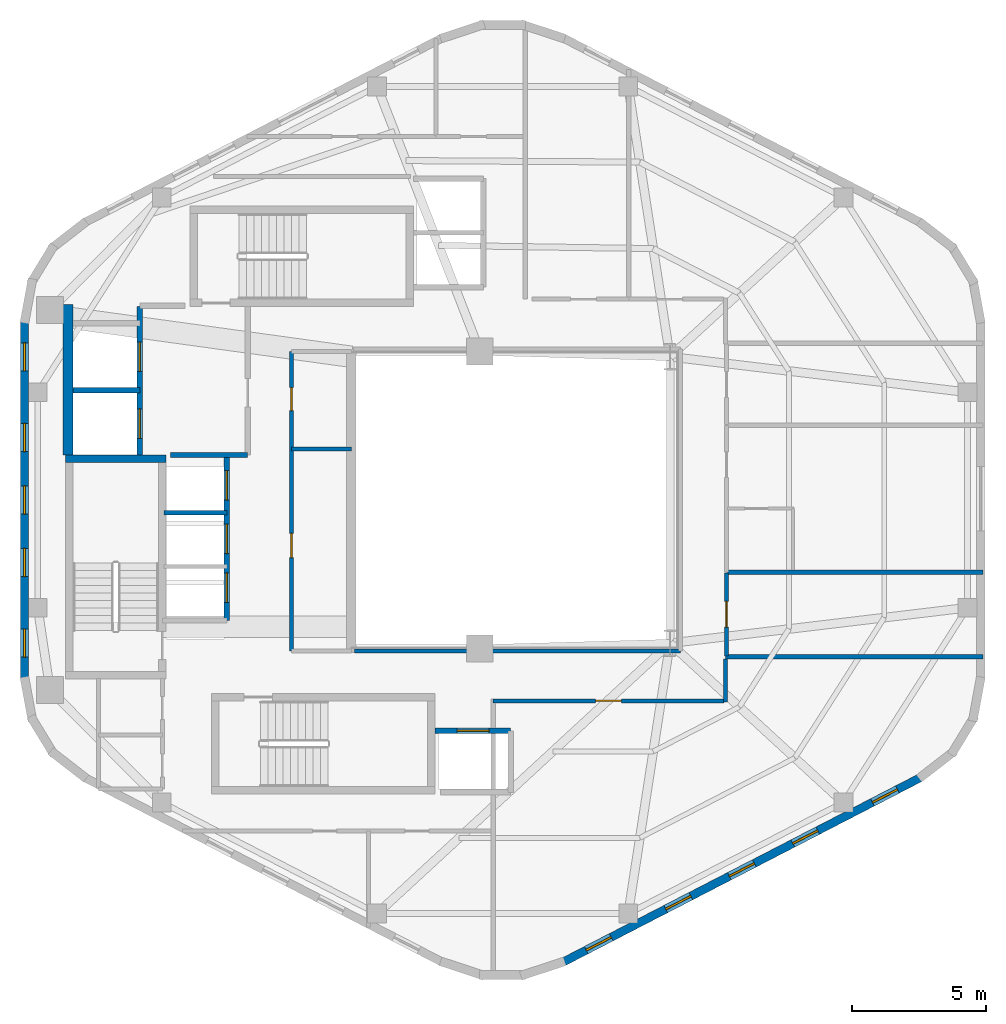
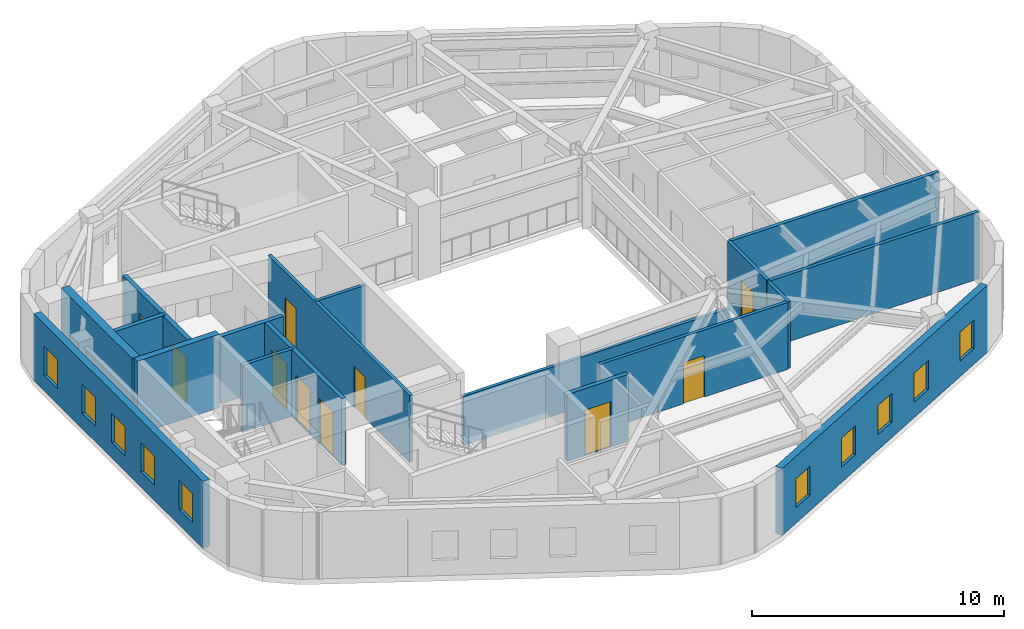
# One storey, part 3 of 6: 18 walls, 10 doors, 10 windows, 20 openings.
"""IFC4 building model written with IfcOpenShell, lengths in metres."""

from ifc_helpers import new_model, si_unit, direction, frame, frame_2d, origin, place, context, subcontext, project, spatial, rectangle, extrude, material, layer, layer_set, type_object, element, fill, save


model = new_model("IFC4")

# Units and contexts
model_context = context("Model", 3, precision=1e-05, world=origin(), true_north=direction((0.0, 1.0)))
body_context = subcontext(model_context, "Body", "Model", "MODEL_VIEW")
ifc_project = project(units=[si_unit("LENGTHUNIT", "METRE"), si_unit("AREAUNIT", "SQUARE_METRE"), si_unit("VOLUMEUNIT", "CUBIC_METRE"), si_unit("PLANEANGLEUNIT", "RADIAN"), si_unit("MASSUNIT", "GRAM", prefix="KILO"), si_unit("THERMODYNAMICTEMPERATUREUNIT", "KELVIN"), si_unit("POWERUNIT", "WATT")], contexts=[model_context])

# Site, building, storey
site_placement = place(None, origin())
site = spatial("IfcSite", under=ifc_project, at=site_placement, CompositionType="ELEMENT")
building_placement = place(site_placement, origin())
building = spatial("IfcBuilding", under=site, at=building_placement, Name="Skarre Station Tower", CompositionType="ELEMENT")
storey_placement = place(building_placement, frame((0.0, 0.0, 266.75)))
storey = spatial("IfcBuildingStorey", under=building, at=storey_placement, Name="L73", CompositionType="ELEMENT", Elevation=266.75)

# Wall
ifc_material_1 = material(Name="Acoustic Steel-Stud Gypsum Partition", Category="steel")
ifc_layer_1 = layer(ifc_material_1, 0.14990234375, Name="Acoustic Steel-Stud Gypsum Partition")
ifc_layer_set_1 = layer_set([ifc_layer_1], Name="Acoustic Steel-Stud Gypsum Partition")
wall_type_1 = type_object("IfcWallType", Name="Fire-Rated Corridor Acoustic Partition 150", PredefinedType="PARTITIONING", material=ifc_layer_set_1)
wall_1_placement = place(storey_placement, frame((25.320068359375, 25.89990234375, 0.0), z_axis=(0.0, 0.0, 1.0), x_axis=(1.0, 0.0, 0.0)))
element("IfcWall", 1, at=wall_1_placement, inside=storey, type_object=wall_type_1, Name="L73 Interior Partition WL-PT-L73-RC2-M", PredefinedType="PARTITIONING", context=body_context, shape_type="SweptSolid", body=[
    extrude(rectangle(XDim=2.22998046875, YDim=0.14990234375, at=frame_2d((1.114990234375, 0.0))), origin(), (0.0, 0.0, 1.0), 3.239990234375),
])

# Wall, openings, doors
wall_2_placement = place(storey_placement, frame((25.320068359375, 29.550048828125, 0.0), z_axis=(0.0, 0.0, 1.0), x_axis=(0.0, -1.0, 0.0)))
wall_2 = element("IfcWall", 2, at=wall_2_placement, inside=storey, type_object=wall_type_1, Name="L73 Interior Partition WL-PT-L73-RC2-W", PredefinedType="PARTITIONING", context=body_context, shape_type="SweptSolid", body=[
    extrude(rectangle(XDim=11.18994140625, YDim=0.14990234375, at=frame_2d((5.594970703125, 0.0))), origin(), (0.0, 0.0, 1.0), 3.239990234375),
])
opening_1_placement = place(wall_2_placement, frame((1.35009765625, 0.0, 0.0)))
opening_1 = element("IfcOpeningElement", 3, at=opening_1_placement, cuts=wall_2, Name="Opening DR-SVC86", PredefinedType="OPENING", context=body_context, shape_type="SweptSolid", body=[
    extrude(rectangle(XDim=0.860107421875, YDim=2.0, at=frame_2d((0.43017578125, 1.0))), frame((0.0, 0.0849609375, 0.0), z_axis=(0.0, -1.0, 0.0), x_axis=(1.0, 0.0, 0.0)), (0.0, 0.0, 1.0), 0.169921875),
])
opening_2_placement = place(wall_2_placement, frame((6.800048828125, 0.0, 0.0)))
opening_2 = element("IfcOpeningElement", 4, at=opening_2_placement, cuts=wall_2, Name="Opening DR-SVC90", PredefinedType="OPENING", context=body_context, shape_type="SweptSolid", body=[
    extrude(rectangle(XDim=0.89990234375, YDim=2.0, at=frame_2d((0.449951171875, 1.0))), frame((0.0, 0.0849609375, 0.0), z_axis=(0.0, -1.0, 0.0), x_axis=(1.0, 0.0, 0.0)), (0.0, 0.0, 1.0), 0.169921875),
])
ifc_material_2 = material(Name="Powder-Coated Hollow-Metal Acoustic Fire Leaf", Category="steel")
door_type_1 = type_object("IfcDoorType", Name="Compact Riser Fire Door FD60 860x2100", OperationType="SINGLE_SWING_LEFT", PredefinedType="DOOR", material=ifc_material_2)
door_1_placement = place(opening_1_placement, origin())
door_1 = element("IfcDoor", 5, at=door_1_placement, inside=storey, type_object=door_type_1, Name="L73 Music Alcove Door", OperationType="SINGLE_SWING_LEFT", OverallHeight=2.0, OverallWidth=0.860107421875, PredefinedType="DOOR", context=body_context, shape_type="SweptSolid", body=[
    extrude(rectangle(XDim=0.860107421875, YDim=2.0, at=frame_2d((0.43017578125, 1.0))), frame((0.0, 0.02490234375, 0.0), z_axis=(0.0, -1.0, 0.0), x_axis=(1.0, 0.0, 0.0)), (0.0, 0.0, 1.0), 0.050048828125),
])
fill(opening_1, door_1)
door_type_2 = type_object("IfcDoorType", Name="Service & Riser Fire Door FD60 900x2100", OperationType="SINGLE_SWING_LEFT", PredefinedType="DOOR", material=ifc_material_2)
door_2_placement = place(opening_2_placement, origin())
door_2 = element("IfcDoor", 6, at=door_2_placement, inside=storey, type_object=door_type_2, Name="L73 Tasting Pantry Door", OperationType="SINGLE_SWING_LEFT", OverallHeight=2.0, OverallWidth=0.89990234375, PredefinedType="DOOR", context=body_context, shape_type="SweptSolid", body=[
    extrude(rectangle(XDim=0.89990234375, YDim=2.0, at=frame_2d((0.449951171875, 1.0))), frame((0.0, 0.02490234375, 0.0), z_axis=(0.0, -1.0, 0.0), x_axis=(1.0, 0.0, 0.0)), (0.0, 0.0, 1.0), 0.050048828125),
])
fill(opening_2, door_2)

# Wall
wall_3_placement = place(storey_placement, frame((27.675048828125, 18.360107421875, 0.0), z_axis=(0.0, 0.0, 1.0), x_axis=(1.0, 0.0, 0.0)))
element("IfcWall", 7, at=wall_3_placement, inside=storey, type_object=wall_type_1, Name="L73 Interior Partition WL-PT-L73-ATRW-S", PredefinedType="PARTITIONING", context=body_context, shape_type="SweptSolid", body=[
    extrude(rectangle(XDim=12.1650390625, YDim=0.14990234375, at=frame_2d((6.08251953125, 0.0))), origin(), (0.0, 0.0, 1.0), 2.381103515625),
])

# Wall, opening, door
wall_4_placement = place(storey_placement, frame((41.56005859375, 18.179931640625, 0.0), z_axis=(0.0, 0.0, 1.0), x_axis=(0.0, 1.0, 0.0)))
wall_4 = element("IfcWall", 8, at=wall_4_placement, inside=storey, type_object=wall_type_1, Name="L73 Interior Partition WL-PT-L73-EW1-CW", PredefinedType="PARTITIONING", context=body_context, shape_type="SweptSolid", body=[
    extrude(rectangle(XDim=3.10205078125, YDim=0.14990234375, at=frame_2d((1.551025390625, 0.0))), origin(), (0.0, 0.0, 1.0), 3.239990234375),
])
opening_3_placement = place(wall_4_placement, frame((1.071044921875, 0.0, 0.0)))
opening_3 = element("IfcOpeningElement", 9, at=opening_3_placement, cuts=wall_4, Name="Opening DR-FD60", PredefinedType="OPENING", context=body_context, shape_type="SweptSolid", body=[
    extrude(rectangle(XDim=0.9599609375, YDim=2.0, at=frame_2d((0.47998046875, 1.0))), frame((0.0, 0.0849609375, 0.0), z_axis=(0.0, -1.0, 0.0), x_axis=(1.0, 0.0, 0.0)), (0.0, 0.0, 1.0), 0.169921875),
])
ifc_material_3 = material(Name="Nordic White-Oak Veneer Solid-Core Fire Leaf", Category="wood")
door_type_3 = type_object("IfcDoorType", Name="Corridor Suite Entry Fire Door FD60 960x2150", OperationType="SINGLE_SWING_LEFT", PredefinedType="DOOR", material=ifc_material_3)
door_3_placement = place(opening_3_placement, origin())
door_3 = element("IfcDoor", 10, at=door_3_placement, inside=storey, type_object=door_type_3, Name="L73 EW1 Entry Door", OperationType="SINGLE_SWING_LEFT", OverallHeight=2.0, OverallWidth=0.9599609375, PredefinedType="DOOR", context=body_context, shape_type="SweptSolid", body=[
    extrude(rectangle(XDim=0.9599609375, YDim=2.0, at=frame_2d((0.47998046875, 1.0))), frame((0.0, 0.02490234375, 0.0), z_axis=(0.0, -1.0, 0.0), x_axis=(1.0, 0.0, 0.0)), (0.0, 0.0, 1.0), 0.050048828125),
])
fill(opening_3, door_3)

# Wall
wall_5_placement = place(storey_placement, frame((41.52001953125, 16.4599609375, 0.0), z_axis=(0.0, 0.0, 1.0), x_axis=(0.0, 1.0, 0.0)))
element("IfcWall", 11, at=wall_5_placement, inside=storey, type_object=wall_type_1, Name="L73 Interior Partition WL-PT-L73-CORR-SER", PredefinedType="PARTITIONING", context=body_context, shape_type="SweptSolid", body=[
    extrude(rectangle(XDim=1.60205078125, YDim=0.14990234375, at=frame_2d((0.801025390625, 0.0))), origin(), (0.0, 0.0, 1.0), 3.239990234375),
])

# Wall, opening, door
wall_6_placement = place(storey_placement, frame((32.85009765625, 16.5, 0.0), z_axis=(0.0, 0.0, 1.0), x_axis=(1.0, 0.0, 0.0)))
wall_6 = element("IfcWall", 12, at=wall_6_placement, inside=storey, type_object=wall_type_1, Name="L73 Interior Partition WL-PT-L73-SW1-CW", PredefinedType="PARTITIONING", context=body_context, shape_type="SweptSolid", body=[
    extrude(rectangle(XDim=8.60986328125, YDim=0.14990234375, at=frame_2d((4.304931640625, 0.0))), origin(), (0.0, 0.0, 1.0), 3.239990234375),
])
opening_4_placement = place(wall_6_placement, frame((3.824951171875, 0.0, 0.0)))
opening_4 = element("IfcOpeningElement", 13, at=opening_4_placement, cuts=wall_6, Name="Opening DR-FD60", PredefinedType="OPENING", context=body_context, shape_type="SweptSolid", body=[
    extrude(rectangle(XDim=0.9599609375, YDim=2.0, at=frame_2d((0.47998046875, 1.0))), frame((0.0, 0.0849609375, 0.0), z_axis=(0.0, -1.0, 0.0), x_axis=(1.0, 0.0, 0.0)), (0.0, 0.0, 1.0), 0.169921875),
])
door_4_placement = place(opening_4_placement, origin())
door_4 = element("IfcDoor", 14, at=door_4_placement, inside=storey, type_object=door_type_3, Name="L73 SW1 Entry Door", OperationType="SINGLE_SWING_LEFT", OverallHeight=2.0, OverallWidth=0.9599609375, PredefinedType="DOOR", context=body_context, shape_type="SweptSolid", body=[
    extrude(rectangle(XDim=0.9599609375, YDim=2.0, at=frame_2d((0.47998046875, 1.0))), frame((0.0, 0.02490234375, 0.0), z_axis=(0.0, -1.0, 0.0), x_axis=(1.0, 0.0, 0.0)), (0.0, 0.0, 1.0), 0.050048828125),
])
fill(opening_4, door_4)

# Wall, openings, windows
ifc_material_4 = material(Name="Precast concrete C45/55", Category="concrete")
ifc_layer_2 = layer(ifc_material_4, 0.31005859375, Name="Precast concrete C45/55")
ifc_layer_set_2 = layer_set([ifc_layer_2], Name="Precast concrete C45/55")
wall_type_2 = type_object("IfcWallType", Name="Nordic Upper-Zone Precast Facet Wall 310", PredefinedType="STANDARD", material=ifc_layer_set_2)
wall_7_placement = place(storey_placement, frame((15.342041015625, 17.298095703125, 0.0), z_axis=(0.0, 0.0, 1.0), x_axis=(0.0, 1.0, 0.0)))
wall_7 = element("IfcWall", 15, at=wall_7_placement, inside=storey, type_object=wall_type_2, Name="L73 Facet 2 Nordic Precast Masonry Wall", PredefinedType="STANDARD", context=body_context, shape_type="SweptSolid", body=[
    extrude(rectangle(XDim=13.40380859375, YDim=0.31005859375, at=frame_2d((6.701904296875, 0.0))), origin(), (0.0, 0.0, 1.0), 3.239990234375),
])
opening_5_placement = place(wall_7_placement, frame((0.8310546875, 0.0, 0.75)))
opening_5 = element("IfcOpeningElement", 16, at=opening_5_placement, cuts=wall_7, Name="Opening WN-SLT", PredefinedType="OPENING", context=body_context, shape_type="SweptSolid", body=[
    extrude(rectangle(XDim=1.050048828125, YDim=1.39990234375, at=frame_2d((0.52490234375, 0.699951171875))), frame((0.0, 0.1650390625, 0.0), z_axis=(0.0, -1.0, 0.0), x_axis=(1.0, 0.0, 0.0)), (0.0, 0.0, 1.0), 0.330078125),
])
opening_6_placement = place(wall_7_placement, frame((3.843017578125, 0.0, 0.75)))
opening_6 = element("IfcOpeningElement", 17, at=opening_6_placement, cuts=wall_7, Name="Opening WN-SLT", PredefinedType="OPENING", context=body_context, shape_type="SweptSolid", body=[
    extrude(rectangle(XDim=1.050048828125, YDim=1.39990234375, at=frame_2d((0.52490234375, 0.699951171875))), frame((0.0, 0.1650390625, 0.0), z_axis=(0.0, -1.0, 0.0), x_axis=(1.0, 0.0, 0.0)), (0.0, 0.0, 1.0), 0.330078125),
])
opening_7_placement = place(wall_7_placement, frame((6.177001953125, 0.0, 0.75)))
opening_7 = element("IfcOpeningElement", 18, at=opening_7_placement, cuts=wall_7, Name="Opening WN-SLT", PredefinedType="OPENING", context=body_context, shape_type="SweptSolid", body=[
    extrude(rectangle(XDim=1.050048828125, YDim=1.39990234375, at=frame_2d((0.52490234375, 0.699951171875))), frame((0.0, 0.1650390625, 0.0), z_axis=(0.0, -1.0, 0.0), x_axis=(1.0, 0.0, 0.0)), (0.0, 0.0, 1.0), 0.330078125),
])
opening_8_placement = place(wall_7_placement, frame((8.510986328125, 0.0, 0.75)))
opening_8 = element("IfcOpeningElement", 19, at=opening_8_placement, cuts=wall_7, Name="Opening WN-SLT", PredefinedType="OPENING", context=body_context, shape_type="SweptSolid", body=[
    extrude(rectangle(XDim=1.050048828125, YDim=1.39990234375, at=frame_2d((0.52490234375, 0.699951171875))), frame((0.0, 0.1650390625, 0.0), z_axis=(0.0, -1.0, 0.0), x_axis=(1.0, 0.0, 0.0)), (0.0, 0.0, 1.0), 0.330078125),
])
opening_9_placement = place(wall_7_placement, frame((11.52392578125, 0.0, 0.75)))
opening_9 = element("IfcOpeningElement", 20, at=opening_9_placement, cuts=wall_7, Name="Opening WN-SLT", PredefinedType="OPENING", context=body_context, shape_type="SweptSolid", body=[
    extrude(rectangle(XDim=1.050048828125, YDim=1.39990234375, at=frame_2d((0.52490234375, 0.699951171875))), frame((0.0, 0.1650390625, 0.0), z_axis=(0.0, -1.0, 0.0), x_axis=(1.0, 0.0, 0.0)), (0.0, 0.0, 1.0), 0.330078125),
])
ifc_material_5 = material(Name="Low-Iron Triple Glazing with Bronze Anodized Frame", Category="glass")
window_type = type_object("IfcWindowType", Name="Nordic Corner Slot Window 1050x1400", PartitioningType="SINGLE_PANEL", PredefinedType="WINDOW", material=ifc_material_5)
window_1_placement = place(opening_5_placement, origin())
window_1 = element("IfcWindow", 21, at=window_1_placement, inside=storey, type_object=window_type, Name="L73 Facade Window WL-FAC-L73-F2-1", OverallHeight=1.39990234375, OverallWidth=1.050048828125, PartitioningType="SINGLE_PANEL", PredefinedType="WINDOW", context=body_context, shape_type="SweptSolid", body=[
    extrude(rectangle(XDim=1.050048828125, YDim=1.39990234375, at=frame_2d((0.52490234375, 0.699951171875))), frame((0.0, 0.030029296875, 0.0), z_axis=(0.0, -1.0, 0.0), x_axis=(1.0, 0.0, 0.0)), (0.0, 0.0, 1.0), 0.06005859375),
])
fill(opening_5, window_1)
window_2_placement = place(opening_6_placement, origin())
window_2 = element("IfcWindow", 22, at=window_2_placement, inside=storey, type_object=window_type, Name="L73 Facade Window WL-FAC-L73-F2-2", OverallHeight=1.39990234375, OverallWidth=1.050048828125, PartitioningType="SINGLE_PANEL", PredefinedType="WINDOW", context=body_context, shape_type="SweptSolid", body=[
    extrude(rectangle(XDim=1.050048828125, YDim=1.39990234375, at=frame_2d((0.52490234375, 0.699951171875))), frame((0.0, 0.030029296875, 0.0), z_axis=(0.0, -1.0, 0.0), x_axis=(1.0, 0.0, 0.0)), (0.0, 0.0, 1.0), 0.06005859375),
])
fill(opening_6, window_2)
window_3_placement = place(opening_7_placement, origin())
window_3 = element("IfcWindow", 23, at=window_3_placement, inside=storey, type_object=window_type, Name="L73 Facade Window WL-FAC-L73-F2-3", OverallHeight=1.39990234375, OverallWidth=1.050048828125, PartitioningType="SINGLE_PANEL", PredefinedType="WINDOW", context=body_context, shape_type="SweptSolid", body=[
    extrude(rectangle(XDim=1.050048828125, YDim=1.39990234375, at=frame_2d((0.52490234375, 0.699951171875))), frame((0.0, 0.030029296875, 0.0), z_axis=(0.0, -1.0, 0.0), x_axis=(1.0, 0.0, 0.0)), (0.0, 0.0, 1.0), 0.06005859375),
])
fill(opening_7, window_3)
window_4_placement = place(opening_8_placement, origin())
window_4 = element("IfcWindow", 24, at=window_4_placement, inside=storey, type_object=window_type, Name="L73 Facade Window WL-FAC-L73-F2-4", OverallHeight=1.39990234375, OverallWidth=1.050048828125, PartitioningType="SINGLE_PANEL", PredefinedType="WINDOW", context=body_context, shape_type="SweptSolid", body=[
    extrude(rectangle(XDim=1.050048828125, YDim=1.39990234375, at=frame_2d((0.52490234375, 0.699951171875))), frame((0.0, 0.030029296875, 0.0), z_axis=(0.0, -1.0, 0.0), x_axis=(1.0, 0.0, 0.0)), (0.0, 0.0, 1.0), 0.06005859375),
])
fill(opening_8, window_4)
window_5_placement = place(opening_9_placement, origin())
window_5 = element("IfcWindow", 25, at=window_5_placement, inside=storey, type_object=window_type, Name="L73 Facade Window WL-FAC-L73-F2-5", OverallHeight=1.39990234375, OverallWidth=1.050048828125, PartitioningType="SINGLE_PANEL", PredefinedType="WINDOW", context=body_context, shape_type="SweptSolid", body=[
    extrude(rectangle(XDim=1.050048828125, YDim=1.39990234375, at=frame_2d((0.52490234375, 0.699951171875))), frame((0.0, 0.030029296875, 0.0), z_axis=(0.0, -1.0, 0.0), x_axis=(1.0, 0.0, 0.0)), (0.0, 0.0, 1.0), 0.06005859375),
])
fill(opening_9, window_5)

wall_8_placement = place(storey_placement, frame((48.833984375, 13.64599609375, 0.0), z_axis=(0.0, 0.0, 1.0), x_axis=(-0.888581481622, -0.458718814218, 0.0)))
wall_8 = element("IfcWall", 26, at=wall_8_placement, inside=storey, type_object=wall_type_2, Name="L73 Facet 4 Nordic Precast Masonry Wall", PredefinedType="STANDARD", context=body_context, shape_type="SweptSolid", body=[
    extrude(rectangle(XDim=15.076904296875, YDim=0.31005859375, at=frame_2d((7.53857421875, 0.0))), origin(), (0.0, 0.0, 1.0), 3.239990234375),
])
opening_10_placement = place(wall_8_placement, frame((0.998046875, 0.0, 0.75)))
opening_10 = element("IfcOpeningElement", 27, at=opening_10_placement, cuts=wall_8, Name="Opening WN-SLT", PredefinedType="OPENING", context=body_context, shape_type="SweptSolid", body=[
    extrude(rectangle(XDim=1.050048828125, YDim=1.39990234375, at=frame_2d((0.52490234375, 0.699951171875))), frame((0.0, 0.1650390625, 0.0), z_axis=(0.0, -1.0, 0.0), x_axis=(1.0, 0.0, 0.0)), (0.0, 0.0, 1.0), 0.330078125),
])
opening_11_placement = place(wall_8_placement, frame((4.344970703125, 0.0, 0.75)))
opening_11 = element("IfcOpeningElement", 28, at=opening_11_placement, cuts=wall_8, Name="Opening WN-SLT", PredefinedType="OPENING", context=body_context, shape_type="SweptSolid", body=[
    extrude(rectangle(XDim=1.050048828125, YDim=1.39990234375, at=frame_2d((0.52490234375, 0.699951171875))), frame((0.0, 0.1650390625, 0.0), z_axis=(0.0, -1.0, 0.0), x_axis=(1.0, 0.0, 0.0)), (0.0, 0.0, 1.0), 0.330078125),
])
opening_12_placement = place(wall_8_placement, frame((7.013916015625, 0.0, 0.75)))
opening_12 = element("IfcOpeningElement", 29, at=opening_12_placement, cuts=wall_8, Name="Opening WN-SLT", PredefinedType="OPENING", context=body_context, shape_type="SweptSolid", body=[
    extrude(rectangle(XDim=1.050048828125, YDim=1.39990234375, at=frame_2d((0.52490234375, 0.699951171875))), frame((0.0, 0.1650390625, 0.0), z_axis=(0.0, -1.0, 0.0), x_axis=(1.0, 0.0, 0.0)), (0.0, 0.0, 1.0), 0.330078125),
])
opening_13_placement = place(wall_8_placement, frame((9.68310546875, 0.0, 0.75)))
opening_13 = element("IfcOpeningElement", 30, at=opening_13_placement, cuts=wall_8, Name="Opening WN-SLT", PredefinedType="OPENING", context=body_context, shape_type="SweptSolid", body=[
    extrude(rectangle(XDim=1.050048828125, YDim=1.39990234375, at=frame_2d((0.52490234375, 0.699951171875))), frame((0.0, 0.1650390625, 0.0), z_axis=(0.0, -1.0, 0.0), x_axis=(1.0, 0.0, 0.0)), (0.0, 0.0, 1.0), 0.330078125),
])
opening_14_placement = place(wall_8_placement, frame((13.029052734375, 0.0, 0.75)))
opening_14 = element("IfcOpeningElement", 31, at=opening_14_placement, cuts=wall_8, Name="Opening WN-SLT", PredefinedType="OPENING", context=body_context, shape_type="SweptSolid", body=[
    extrude(rectangle(XDim=1.050048828125, YDim=1.39990234375, at=frame_2d((0.52490234375, 0.699951171875))), frame((0.0, 0.1650390625, 0.0), z_axis=(0.0, -1.0, 0.0), x_axis=(1.0, 0.0, 0.0)), (0.0, 0.0, 1.0), 0.330078125),
])
window_6_placement = place(opening_10_placement, origin())
window_6 = element("IfcWindow", 32, at=window_6_placement, inside=storey, type_object=window_type, Name="L73 Facade Window WL-FAC-L73-F4-1", OverallHeight=1.39990234375, OverallWidth=1.050048828125, PartitioningType="SINGLE_PANEL", PredefinedType="WINDOW", context=body_context, shape_type="SweptSolid", body=[
    extrude(rectangle(XDim=1.050048828125, YDim=1.39990234375, at=frame_2d((0.52490234375, 0.699951171875))), frame((0.0, 0.030029296875, 0.0), z_axis=(0.0, -1.0, 0.0), x_axis=(1.0, 0.0, 0.0)), (0.0, 0.0, 1.0), 0.06005859375),
])
fill(opening_10, window_6)
window_7_placement = place(opening_11_placement, origin())
window_7 = element("IfcWindow", 33, at=window_7_placement, inside=storey, type_object=window_type, Name="L73 Facade Window WL-FAC-L73-F4-2", OverallHeight=1.39990234375, OverallWidth=1.050048828125, PartitioningType="SINGLE_PANEL", PredefinedType="WINDOW", context=body_context, shape_type="SweptSolid", body=[
    extrude(rectangle(XDim=1.050048828125, YDim=1.39990234375, at=frame_2d((0.52490234375, 0.699951171875))), frame((0.0, 0.030029296875, 0.0), z_axis=(0.0, -1.0, 0.0), x_axis=(1.0, 0.0, 0.0)), (0.0, 0.0, 1.0), 0.06005859375),
])
fill(opening_11, window_7)
window_8_placement = place(opening_12_placement, origin())
window_8 = element("IfcWindow", 34, at=window_8_placement, inside=storey, type_object=window_type, Name="L73 Facade Window WL-FAC-L73-F4-3", OverallHeight=1.39990234375, OverallWidth=1.050048828125, PartitioningType="SINGLE_PANEL", PredefinedType="WINDOW", context=body_context, shape_type="SweptSolid", body=[
    extrude(rectangle(XDim=1.050048828125, YDim=1.39990234375, at=frame_2d((0.52490234375, 0.699951171875))), frame((0.0, 0.030029296875, 0.0), z_axis=(0.0, -1.0, 0.0), x_axis=(1.0, 0.0, 0.0)), (0.0, 0.0, 1.0), 0.06005859375),
])
fill(opening_12, window_8)
window_9_placement = place(opening_13_placement, origin())
window_9 = element("IfcWindow", 35, at=window_9_placement, inside=storey, type_object=window_type, Name="L73 Facade Window WL-FAC-L73-F4-4", OverallHeight=1.39990234375, OverallWidth=1.050048828125, PartitioningType="SINGLE_PANEL", PredefinedType="WINDOW", context=body_context, shape_type="SweptSolid", body=[
    extrude(rectangle(XDim=1.050048828125, YDim=1.39990234375, at=frame_2d((0.52490234375, 0.699951171875))), frame((0.0, 0.030029296875, 0.0), z_axis=(0.0, -1.0, 0.0), x_axis=(1.0, 0.0, 0.0)), (0.0, 0.0, 1.0), 0.06005859375),
])
fill(opening_13, window_9)
window_10_placement = place(opening_14_placement, origin())
window_10 = element("IfcWindow", 36, at=window_10_placement, inside=storey, type_object=window_type, Name="L73 Facade Window WL-FAC-L73-F4-5", OverallHeight=1.39990234375, OverallWidth=1.050048828125, PartitioningType="SINGLE_PANEL", PredefinedType="WINDOW", context=body_context, shape_type="SweptSolid", body=[
    extrude(rectangle(XDim=1.050048828125, YDim=1.39990234375, at=frame_2d((0.52490234375, 0.699951171875))), frame((0.0, 0.030029296875, 0.0), z_axis=(0.0, -1.0, 0.0), x_axis=(1.0, 0.0, 0.0)), (0.0, 0.0, 1.0), 0.06005859375),
])
fill(opening_14, window_10)

# Walls
ifc_material_6 = material(Name="Concrete C50/60", Category="concrete")
ifc_layer_3 = layer(ifc_material_6, 0.280029296875, Name="Concrete C50/60")
ifc_layer_set_3 = layer_set([ifc_layer_3], Name="Concrete C50/60")
wall_type_3 = type_object("IfcWallType", Name="RC Core Shear Wall 280", PredefinedType="SHEAR", material=ifc_layer_set_3)
wall_9_placement = place(storey_placement, frame((20.6298828125, 25.5400390625, 0.0), z_axis=(0.0, 0.0, 1.0), x_axis=(-1.0, 0.0, 0.0)))
element("IfcWall", 37, at=wall_9_placement, inside=storey, type_object=wall_type_3, Name="L73 Stair ST-1 North Shear Wall", PredefinedType="SHEAR", context=body_context, shape_type="SweptSolid", body=[
    extrude(rectangle(XDim=3.759765625, YDim=0.280029296875, at=frame_2d((1.8798828125, 0.0))), origin(), (0.0, 0.0, 1.0), 3.550048828125),
])
ifc_layer_4 = layer(ifc_material_6, 0.360107421875, Name="Concrete C50/60")
ifc_layer_set_4 = layer_set([ifc_layer_4], Name="Concrete C50/60")
wall_type_4 = type_object("IfcWallType", Name="RC Core Shear Wall 360", PredefinedType="SHEAR", material=ifc_layer_set_4)
wall_10_placement = place(storey_placement, frame((16.969970703125, 25.679931640625, 0.0), z_axis=(0.0, 0.0, 1.0), x_axis=(0.0, 1.0, 0.0)))
element("IfcWall", 38, at=wall_10_placement, inside=storey, type_object=wall_type_4, Name="L73 Core West-North Shear Wall", PredefinedType="SHEAR", context=body_context, shape_type="SweptSolid", body=[
    extrude(rectangle(XDim=5.6201171875, YDim=0.360107421875, at=frame_2d((2.81005859375, 0.0))), origin(), (0.0, 0.0, 1.0), 3.550048828125),
])

# Wall, openings, doors
ifc_material_7 = material(Name="Gypsum Concrete Shaft Assembly C30/37", Category="concrete")
ifc_layer_5 = layer(ifc_material_7, 0.199951171875, Name="Gypsum Concrete Shaft Assembly C30/37")
ifc_layer_set_5 = layer_set([ifc_layer_5], Name="Gypsum Concrete Shaft Assembly C30/37")
wall_type_5 = type_object("IfcWallType", Name="Shaft & Core Fire Partition 200", PredefinedType="PARTITIONING", material=ifc_layer_set_5)
wall_11_placement = place(storey_placement, frame((19.64990234375, 25.679931640625, 0.0), z_axis=(0.0, 0.0, 1.0), x_axis=(0.0, 1.0, 0.0)))
wall_11 = element("IfcWall", 39, at=wall_11_placement, inside=storey, type_object=wall_type_5, Name="L73 Interior Partition WL-PT-L73-FSAE-W", PredefinedType="PARTITIONING", context=body_context, shape_type="SweptSolid", body=[
    extrude(rectangle(XDim=5.5400390625, YDim=0.199951171875, at=frame_2d((2.77001953125, 0.0))), origin(), (0.0, 0.0, 1.0), 3.239990234375),
])
opening_15_placement = place(wall_11_placement, frame((0.6201171875, 0.0, 0.0)))
opening_15 = element("IfcOpeningElement", 40, at=opening_15_placement, cuts=wall_11, Name="Opening LD-FF1", PredefinedType="OPENING", context=body_context, shape_type="SweptSolid", body=[
    extrude(rectangle(XDim=1.10009765625, YDim=2.199951171875, at=frame_2d((0.550048828125, 1.10009765625))), frame((0.0, 0.10986328125, 0.0), z_axis=(0.0, -1.0, 0.0), x_axis=(1.0, 0.0, 0.0)), (0.0, 0.0, 1.0), 0.219970703125),
])
opening_16_placement = place(wall_11_placement, frame((3.1201171875, 0.0, 0.0)))
opening_16 = element("IfcOpeningElement", 41, at=opening_16_placement, cuts=wall_11, Name="Opening LD-FF2", PredefinedType="OPENING", context=body_context, shape_type="SweptSolid", body=[
    extrude(rectangle(XDim=1.10009765625, YDim=2.199951171875, at=frame_2d((0.550048828125, 1.10009765625))), frame((0.0, 0.10986328125, 0.0), z_axis=(0.0, -1.0, 0.0), x_axis=(1.0, 0.0, 0.0)), (0.0, 0.0, 1.0), 0.219970703125),
])
ifc_material_8 = material(Name="Fire-Rated Stainless Steel Grade 316L Sliding Leaves", Category="steel")
door_type_4 = type_object("IfcDoorType", Name="Fire Service Access Elevator Sliding Landing Door 1100x2200", OperationType="SLIDING_TO_LEFT", PredefinedType="DOOR", material=ifc_material_8)
door_5_placement = place(opening_15_placement, origin())
door_5 = element("IfcDoor", 42, at=door_5_placement, inside=storey, type_object=door_type_4, Name="L73 Firefighting Lift LF-FF1 Landing Door", OperationType="SLIDING_TO_LEFT", OverallHeight=2.199951171875, OverallWidth=1.10009765625, PredefinedType="DOOR", context=body_context, shape_type="SweptSolid", body=[
    extrude(rectangle(XDim=1.10009765625, YDim=2.199951171875, at=frame_2d((0.550048828125, 1.10009765625))), frame((0.0, 0.02490234375, 0.0), z_axis=(0.0, -1.0, 0.0), x_axis=(1.0, 0.0, 0.0)), (0.0, 0.0, 1.0), 0.050048828125),
])
fill(opening_15, door_5)
door_6_placement = place(opening_16_placement, origin())
door_6 = element("IfcDoor", 43, at=door_6_placement, inside=storey, type_object=door_type_4, Name="L73 Firefighting Lift LF-FF2 Landing Door", OperationType="SLIDING_TO_LEFT", OverallHeight=2.199951171875, OverallWidth=1.10009765625, PredefinedType="DOOR", context=body_context, shape_type="SweptSolid", body=[
    extrude(rectangle(XDim=1.10009765625, YDim=2.199951171875, at=frame_2d((0.550048828125, 1.10009765625))), frame((0.0, 0.02490234375, 0.0), z_axis=(0.0, -1.0, 0.0), x_axis=(1.0, 0.0, 0.0)), (0.0, 0.0, 1.0), 0.050048828125),
])
fill(opening_16, door_6)

# Walls
wall_12_placement = place(storey_placement, frame((20.79296875, 25.679931640625, 0.0), z_axis=(0.0, 0.0, 1.0), x_axis=(1.0, 0.0, 0.0)))
element("IfcWall", 44, at=wall_12_placement, inside=storey, type_object=wall_type_5, Name="L73 Interior Partition WL-PT-L73-FSAE-S", PredefinedType="PARTITIONING", context=body_context, shape_type="SweptSolid", body=[
    extrude(rectangle(XDim=2.886962890625, YDim=0.199951171875, at=frame_2d((1.443359375, 0.0))), origin(), (0.0, 0.0, 1.0), 3.239990234375),
])
wall_13_placement = place(storey_placement, frame((17.14990234375, 28.10009765625, 0.0), z_axis=(0.0, 0.0, 1.0), x_axis=(1.0, 0.0, 0.0)))
element("IfcWall", 45, at=wall_13_placement, inside=storey, type_object=wall_type_5, Name="L73 Interior Partition WL-PT-L73-FF-DIV", PredefinedType="PARTITIONING", context=body_context, shape_type="SweptSolid", body=[
    extrude(rectangle(XDim=2.5, YDim=0.199951171875, at=frame_2d((1.25, 0.0))), origin(), (0.0, 0.0, 1.0), 3.239990234375),
])

# Wall, opening, door
wall_14_placement = place(storey_placement, frame((33.5, 15.3798828125, 0.0), z_axis=(0.0, 0.0, 1.0), x_axis=(-1.0, 0.0, 0.0)))
wall_14 = element("IfcWall", 46, at=wall_14_placement, inside=storey, type_object=wall_type_5, Name="L73 Interior Partition WL-PT-L73-SV1-N", PredefinedType="PARTITIONING", context=body_context, shape_type="SweptSolid", body=[
    extrude(rectangle(XDim=2.820068359375, YDim=0.199951171875, at=frame_2d((1.41015625, 0.0))), origin(), (0.0, 0.0, 1.0), 3.239990234375),
])
opening_17_placement = place(wall_14_placement, frame((0.800048828125, 0.0, 0.0)))
opening_17 = element("IfcOpeningElement", 47, at=opening_17_placement, cuts=wall_14, Name="Opening LD-SV1", PredefinedType="OPENING", context=body_context, shape_type="SweptSolid", body=[
    extrude(rectangle(XDim=1.199951171875, YDim=2.199951171875, at=frame_2d((0.60009765625, 1.10009765625))), frame((0.0, 0.10986328125, 0.0), z_axis=(0.0, -1.0, 0.0), x_axis=(1.0, 0.0, 0.0)), (0.0, 0.0, 1.0), 0.219970703125),
])
ifc_material_9 = material(Name="Heavy-Gauge Brushed Stainless Steel Sliding Leaves", Category="steel")
door_type_5 = type_object("IfcDoorType", Name="Service Elevator Wide Sliding Landing Door 1200x2200", OperationType="SLIDING_TO_RIGHT", PredefinedType="DOOR", material=ifc_material_9)
door_7_placement = place(opening_17_placement, origin())
door_7 = element("IfcDoor", 48, at=door_7_placement, inside=storey, type_object=door_type_5, Name="L73 Service Lift LF-SV1 Landing Door", OperationType="SLIDING_TO_RIGHT", OverallHeight=2.199951171875, OverallWidth=1.199951171875, PredefinedType="DOOR", context=body_context, shape_type="SweptSolid", body=[
    extrude(rectangle(XDim=1.199951171875, YDim=2.199951171875, at=frame_2d((0.60009765625, 1.10009765625))), frame((0.0, 0.02490234375, 0.0), z_axis=(0.0, -1.0, 0.0), x_axis=(1.0, 0.0, 0.0)), (0.0, 0.0, 1.0), 0.050048828125),
])
fill(opening_17, door_7)

# Wall, openings, doors
wall_15_placement = place(storey_placement, frame((22.89990234375, 19.5, 0.0), z_axis=(0.0, 0.0, 1.0), x_axis=(0.0, 1.0, 0.0)))
wall_15 = element("IfcWall", 49, at=wall_15_placement, inside=storey, type_object=wall_type_5, Name="L73 Interior Partition WL-PT-L73-B3-E", PredefinedType="PARTITIONING", context=body_context, shape_type="SweptSolid", body=[
    extrude(rectangle(XDim=6.0849609375, YDim=0.199951171875, at=frame_2d((3.04248046875, 0.0))), origin(), (0.0, 0.0, 1.0), 3.239990234375),
])
opening_18_placement = place(wall_15_placement, frame((0.679931640625, 0.0, 0.0)))
opening_18 = element("IfcOpeningElement", 50, at=opening_18_placement, cuts=wall_15, Name="Opening LD-P7", PredefinedType="OPENING", context=body_context, shape_type="SweptSolid", body=[
    extrude(rectangle(XDim=1.10009765625, YDim=2.199951171875, at=frame_2d((0.550048828125, 1.10009765625))), frame((0.0, 0.10986328125, 0.0), z_axis=(0.0, -1.0, 0.0), x_axis=(1.0, 0.0, 0.0)), (0.0, 0.0, 1.0), 0.219970703125),
])
opening_19_placement = place(wall_15_placement, frame((2.5, 0.0, 0.0)))
opening_19 = element("IfcOpeningElement", 51, at=opening_19_placement, cuts=wall_15, Name="Opening LD-P8", PredefinedType="OPENING", context=body_context, shape_type="SweptSolid", body=[
    extrude(rectangle(XDim=1.10009765625, YDim=2.199951171875, at=frame_2d((0.550048828125, 1.10009765625))), frame((0.0, 0.10986328125, 0.0), z_axis=(0.0, -1.0, 0.0), x_axis=(1.0, 0.0, 0.0)), (0.0, 0.0, 1.0), 0.219970703125),
])
opening_20_placement = place(wall_15_placement, frame((4.5, 0.0, 0.0)))
opening_20 = element("IfcOpeningElement", 52, at=opening_20_placement, cuts=wall_15, Name="Opening LD-P9", PredefinedType="OPENING", context=body_context, shape_type="SweptSolid", body=[
    extrude(rectangle(XDim=1.10009765625, YDim=2.199951171875, at=frame_2d((0.550048828125, 1.10009765625))), frame((0.0, 0.10986328125, 0.0), z_axis=(0.0, -1.0, 0.0), x_axis=(1.0, 0.0, 0.0)), (0.0, 0.0, 1.0), 0.219970703125),
])
ifc_material_10 = material(Name="Brushed Bronze Stainless Steel Sliding Leaves", Category="steel")
door_type_6 = type_object("IfcDoorType", Name="Passenger Elevator Center-Parting Sliding Door 1100x2200", OperationType="SLIDING_TO_LEFT", PredefinedType="DOOR", material=ifc_material_10)
door_8_placement = place(opening_18_placement, origin())
door_8 = element("IfcDoor", 53, at=door_8_placement, inside=storey, type_object=door_type_6, Name="L73 Passenger Lift LF-P7 Landing Door", OperationType="SLIDING_TO_LEFT", OverallHeight=2.199951171875, OverallWidth=1.10009765625, PredefinedType="DOOR", context=body_context, shape_type="SweptSolid", body=[
    extrude(rectangle(XDim=1.10009765625, YDim=2.199951171875, at=frame_2d((0.550048828125, 1.10009765625))), frame((0.0, 0.02490234375, 0.0), z_axis=(0.0, -1.0, 0.0), x_axis=(1.0, 0.0, 0.0)), (0.0, 0.0, 1.0), 0.050048828125),
])
fill(opening_18, door_8)
door_9_placement = place(opening_19_placement, origin())
door_9 = element("IfcDoor", 54, at=door_9_placement, inside=storey, type_object=door_type_6, Name="L73 Passenger Lift LF-P8 Landing Door", OperationType="SLIDING_TO_LEFT", OverallHeight=2.199951171875, OverallWidth=1.10009765625, PredefinedType="DOOR", context=body_context, shape_type="SweptSolid", body=[
    extrude(rectangle(XDim=1.10009765625, YDim=2.199951171875, at=frame_2d((0.550048828125, 1.10009765625))), frame((0.0, 0.02490234375, 0.0), z_axis=(0.0, -1.0, 0.0), x_axis=(1.0, 0.0, 0.0)), (0.0, 0.0, 1.0), 0.050048828125),
])
fill(opening_19, door_9)
door_10_placement = place(opening_20_placement, origin())
door_10 = element("IfcDoor", 55, at=door_10_placement, inside=storey, type_object=door_type_6, Name="L73 Passenger Lift LF-P9 Landing Door", OperationType="SLIDING_TO_LEFT", OverallHeight=2.199951171875, OverallWidth=1.10009765625, PredefinedType="DOOR", context=body_context, shape_type="SweptSolid", body=[
    extrude(rectangle(XDim=1.10009765625, YDim=2.199951171875, at=frame_2d((0.550048828125, 1.10009765625))), frame((0.0, 0.02490234375, 0.0), z_axis=(0.0, -1.0, 0.0), x_axis=(1.0, 0.0, 0.0)), (0.0, 0.0, 1.0), 0.050048828125),
])
fill(opening_20, door_10)

# Walls
wall_16_placement = place(storey_placement, frame((20.550048828125, 23.52001953125, 0.0), z_axis=(0.0, 0.0, 1.0), x_axis=(1.0, 0.0, 0.0)))
element("IfcWall", 56, at=wall_16_placement, inside=storey, type_object=wall_type_5, Name="L73 Interior Partition WL-PT-L73-B3-D2", PredefinedType="PARTITIONING", context=body_context, shape_type="SweptSolid", body=[
    extrude(rectangle(XDim=2.349853515625, YDim=0.159912109375, at=frame_2d((1.1748046875, 0.0))), origin(), (0.0, 0.0, 1.0), 3.239990234375),
])
ifc_layer_6 = layer(ifc_material_1, 0.1650390625, Name="Acoustic Steel-Stud Gypsum Partition")
ifc_layer_set_6 = layer_set([ifc_layer_6], Name="Acoustic Steel-Stud Gypsum Partition")
wall_type_6 = type_object("IfcWallType", Name="Suite Demising Acoustic Partition 165", PredefinedType="PARTITIONING", material=ifc_layer_set_6)
wall_17_placement = place(storey_placement, frame((41.52001953125, 18.139892578125, 0.0), z_axis=(0.0, 0.0, 1.0), x_axis=(1.0, 0.0, 0.0)))
element("IfcWall", 57, at=wall_17_placement, inside=storey, type_object=wall_type_6, Name="L73 Interior Partition WL-PT-L73-EWB-S", PredefinedType="PARTITIONING", context=body_context, shape_type="SweptSolid", body=[
    extrude(rectangle(XDim=9.623046875, YDim=0.1650390625, at=frame_2d((4.8115234375, 0.0))), origin(), (0.0, 0.0, 1.0), 3.239990234375),
])
wall_18_placement = place(storey_placement, frame((41.590087890625, 21.300048828125, 0.0), z_axis=(0.0, 0.0, 1.0), x_axis=(1.0, 0.0, 0.0)))
element("IfcWall", 58, at=wall_18_placement, inside=storey, type_object=wall_type_6, Name="L73 Interior Partition WL-PT-L73-EW-P1", PredefinedType="PARTITIONING", context=body_context, shape_type="SweptSolid", body=[
    extrude(rectangle(XDim=9.552978515625, YDim=0.1650390625, at=frame_2d((4.7763671875, 0.0))), origin(), (0.0, 0.0, 1.0), 3.239990234375),
])

save(model, "model.ifc")
